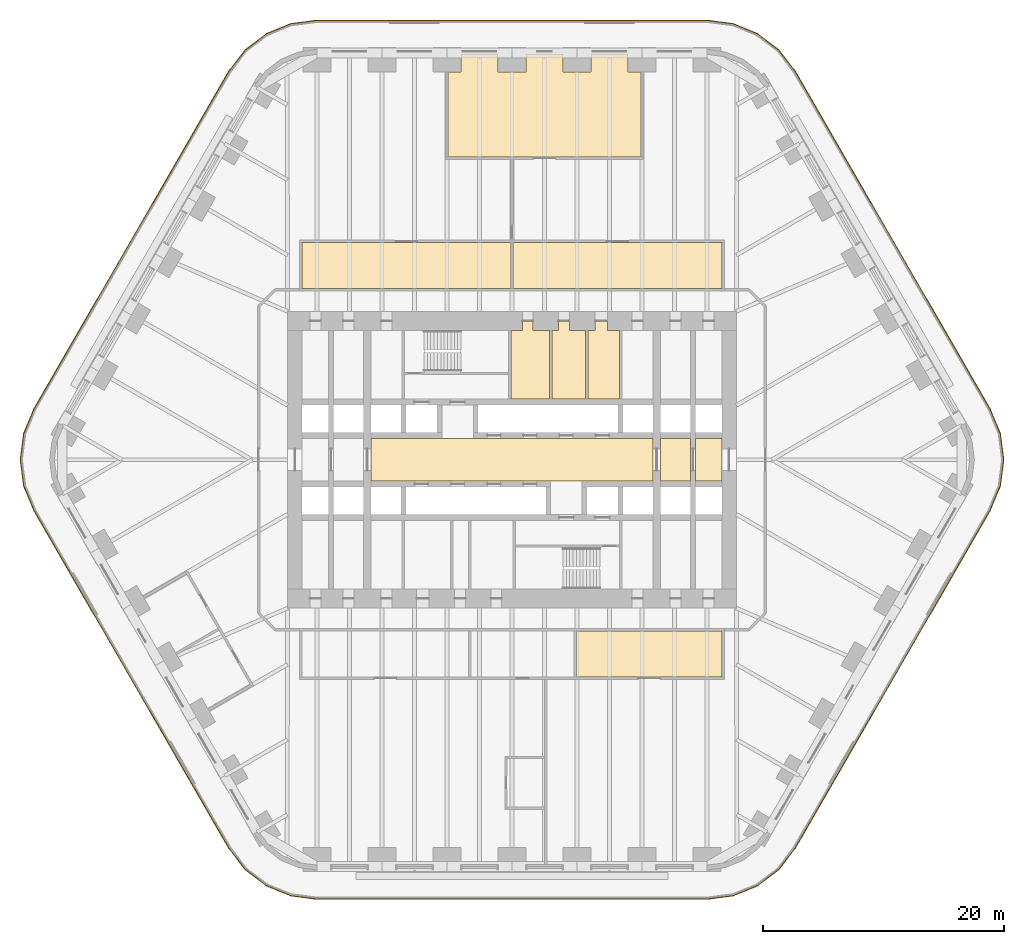
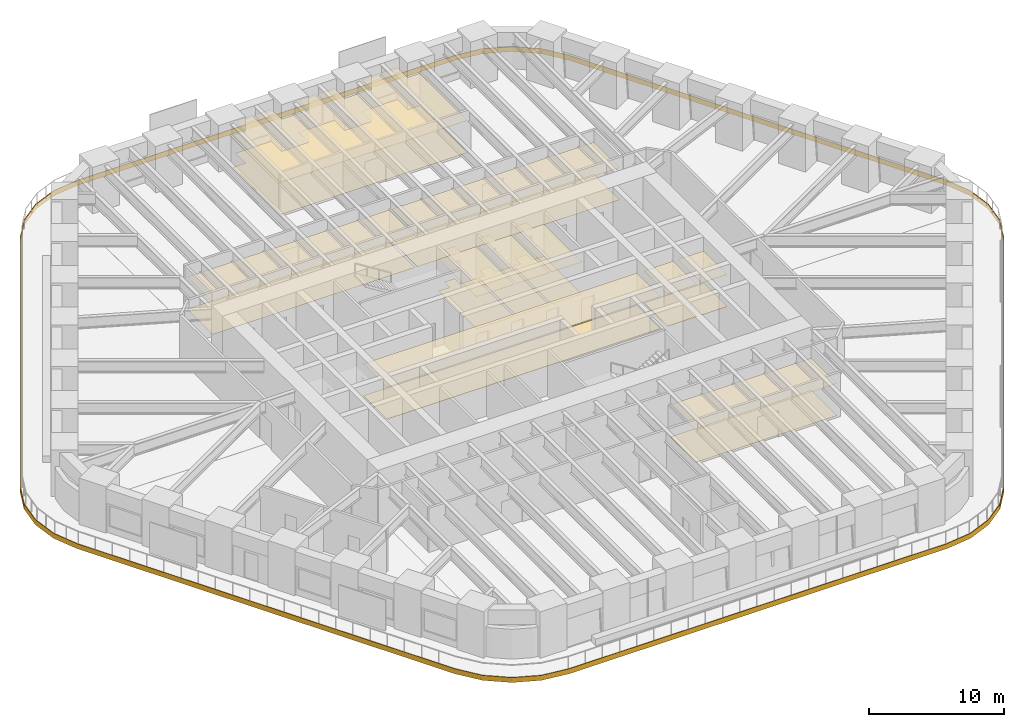
# One storey, part 22 of 23: 15 coverings.
"""IFC4 building model written with IfcOpenShell, lengths in metres."""

from ifc_helpers import new_model, si_unit, direction, frame, origin, place, context, subcontext, project, spatial, polyline, outline, extrude, material, layer, layer_set, type_object, element, save


model = new_model("IFC4")

# Units and contexts
model_context = context("Model", 3, precision=1e-05, world=origin(), true_north=direction((0.0, 1.0)))
body_context = subcontext(model_context, "Body", "Model", "MODEL_VIEW")
ifc_project = project(units=[si_unit("LENGTHUNIT", "METRE"), si_unit("AREAUNIT", "SQUARE_METRE"), si_unit("VOLUMEUNIT", "CUBIC_METRE"), si_unit("PLANEANGLEUNIT", "RADIAN"), si_unit("MASSUNIT", "GRAM", prefix="KILO")], contexts=[model_context])

# Site, building, storey
site_placement = place(None, origin())
site = spatial("IfcSite", under=ifc_project, at=site_placement, CompositionType="ELEMENT")
building_placement = place(site_placement, origin())
building = spatial("IfcBuilding", under=site, at=building_placement, Name="Tarfa Lantern Tower", CompositionType="ELEMENT")
storey_placement = place(building_placement, frame((0.0, 0.0, 27.699951171875)))
storey = spatial("IfcBuildingStorey", under=building, at=storey_placement, Name="L05", CompositionType="ELEMENT", Elevation=27.699951171875)

# Coverings
ifc_material_1 = material(Name="Mineral fibre acoustic tile on suspension grid", Category="finish")
ifc_layer_1 = layer(ifc_material_1, 0.02001953125)
ifc_layer_set_1 = layer_set([ifc_layer_1], Name="CL1 ACOUSTIC TILE CEILING 20")
covering_type_1 = type_object("IfcCoveringType", Name="CL1 ACOUSTIC TILE CEILING 20", PredefinedType="CEILING", material=ifc_layer_set_1)
covering_1_placement = place(storey_placement, frame((0.0, 0.0, 2.900146484375)))
element("IfcCovering", 1, at=covering_1_placement, inside=storey, type_object=covering_type_1, Name="Ceiling L05 CL1", PredefinedType="CEILING", context=body_context, shape_type="SweptSolid", body=[
    extrude(outline(polyline([(0.10009765625, 18.0), (17.39990234375, 18.0), (17.39990234375, 14.199951171875), (0.10009765625, 14.199951171875), (0.10009765625, 18.0)])), origin(), (0.0, 0.0, 1.0), 0.02001953125),
    extrude(outline(polyline([(5.35009765625, -14.199951171875), (17.39990234375, -14.199951171875), (17.39990234375, -18.0), (5.35009765625, -18.0), (5.35009765625, -14.199951171875)])), origin(), (0.0, 0.0, 1.0), 0.02001953125),
    extrude(outline(polyline([(10.67724609375, 25.10009765625), (-5.28857421875, 25.10009765625), (-5.28857421875, 32.14990234375), (-4.238525390625, 32.14990234375), (-4.238525390625, 33.64990234375), (-1.14990234375, 33.64990234375), (-1.14990234375, 32.14990234375), (1.14990234375, 32.14990234375), (1.14990234375, 33.64990234375), (4.238525390625, 33.64990234375), (4.238525390625, 32.14990234375), (6.53857421875, 32.14990234375), (6.53857421875, 33.64990234375), (9.627197265625, 33.64990234375), (9.627197265625, 32.14990234375), (10.67724609375, 32.14990234375), (10.67724609375, 25.10009765625)])), origin(), (0.0, 0.0, 1.0), 0.02001953125),
    extrude(outline(polyline([(-17.39990234375, 18.0), (-0.10009765625, 18.0), (-0.10009765625, 14.199951171875), (-17.39990234375, 14.199951171875), (-17.39990234375, 18.0)])), origin(), (0.0, 0.0, 1.0), 0.02001953125),
])
ifc_material_2 = material(Name="Moisture-resistant plasterboard", Category="finish")
ifc_layer_2 = layer(ifc_material_2, 0.014892578125)
ifc_layer_set_2 = layer_set([ifc_layer_2], Name="CL2 MOISTURE-RESISTANT PLASTERBOARD CEILING 15")
covering_type_2 = type_object("IfcCoveringType", Name="CL2 MOISTURE-RESISTANT PLASTERBOARD CEILING 15", PredefinedType="CEILING", material=ifc_layer_set_2)
covering_2_placement = place(storey_placement, frame((0.0, 0.0, 2.900146484375)))
element("IfcCovering", 2, at=covering_2_placement, inside=storey, type_object=covering_type_2, Name="Ceiling L05-09", PredefinedType="CEILING", context=body_context, shape_type="SweptSolid", body=[
    extrude(outline(polyline([(0.85009765625, 10.699951171875), (-0.10009765625, 10.699951171875), (-0.10009765625, 5.050048828125), (3.10009765625, 5.050048828125), (3.10009765625, 10.699951171875), (1.75, 10.699951171875), (1.75, 11.5), (0.85009765625, 11.5), (0.85009765625, 10.699951171875)])), origin(), (0.0, 0.0, 1.0), 0.014892578125),
])
covering_3_placement = place(storey_placement, frame((0.0, 0.0, 2.900146484375)))
element("IfcCovering", 3, at=covering_3_placement, inside=storey, type_object=covering_type_2, Name="Ceiling L05-10", PredefinedType="CEILING", context=body_context, shape_type="SweptSolid", body=[
    extrude(outline(polyline([(3.300048828125, 5.050048828125), (6.10009765625, 5.050048828125), (6.10009765625, 10.699951171875), (4.75, 10.699951171875), (4.75, 11.5), (3.85009765625, 11.5), (3.85009765625, 10.699951171875), (3.300048828125, 10.699951171875), (3.300048828125, 5.050048828125)])), origin(), (0.0, 0.0, 1.0), 0.014892578125),
])
covering_4_placement = place(storey_placement, frame((0.0, 0.0, 2.900146484375)))
element("IfcCovering", 4, at=covering_4_placement, inside=storey, type_object=covering_type_2, Name="Ceiling L05-11", PredefinedType="CEILING", context=body_context, shape_type="SweptSolid", body=[
    extrude(outline(polyline([(6.300048828125, 5.050048828125), (8.89990234375, 5.050048828125), (8.89990234375, 10.699951171875), (7.89990234375, 10.699951171875), (7.89990234375, 11.5), (6.89990234375, 11.5), (6.89990234375, 10.699951171875), (6.300048828125, 10.699951171875), (6.300048828125, 5.050048828125)])), origin(), (0.0, 0.0, 1.0), 0.014892578125),
])
ifc_material_3 = material(Name="Powder-coated aluminium panel", Category="aluminium")
ifc_layer_3 = layer(ifc_material_3, 0.030029296875)
ifc_layer_set_3 = layer_set([ifc_layer_3], Name="CL3 METAL PANEL CEILING 30")
covering_type_3 = type_object("IfcCoveringType", Name="CL3 METAL PANEL CEILING 30", PredefinedType="CEILING", material=ifc_layer_set_3)
covering_5_placement = place(storey_placement, frame((0.0, 0.0, 2.900146484375)))
element("IfcCovering", 5, at=covering_5_placement, inside=storey, type_object=covering_type_3, Name="Ceiling L05-03", PredefinedType="CEILING", context=body_context, shape_type="SweptSolid", body=[
    extrude(outline(polyline([(-11.699951171875, -1.75), (11.699951171875, -1.75), (11.699951171875, 1.75), (-11.699951171875, 1.75), (-11.699951171875, -1.75)])), origin(), (0.0, 0.0, 1.0), 0.02978515625),
])
covering_6_placement = place(storey_placement, frame((0.0, 0.0, 2.900146484375)))
element("IfcCovering", 6, at=covering_6_placement, inside=storey, type_object=covering_type_3, Name="Ceiling L05-04", PredefinedType="CEILING", context=body_context, shape_type="SweptSolid", body=[
    extrude(outline(polyline([(12.300048828125, -1.75), (14.800048828125, -1.75), (14.800048828125, 1.75), (12.300048828125, 1.75), (12.300048828125, -1.75)])), origin(), (0.0, 0.0, 1.0), 0.02978515625),
])
covering_7_placement = place(storey_placement, frame((0.0, 0.0, 2.900146484375)))
element("IfcCovering", 7, at=covering_7_placement, inside=storey, type_object=covering_type_3, Name="Ceiling L05-05", PredefinedType="CEILING", context=body_context, shape_type="SweptSolid", body=[
    extrude(outline(polyline([(15.199951171875, -1.75), (17.39990234375, -1.75), (17.39990234375, 1.75), (15.199951171875, 1.75), (15.199951171875, -1.75)])), origin(), (0.0, 0.0, 1.0), 0.02978515625),
])
ifc_material_4 = material(Name="Nylon carpet tile", Category="finish")
ifc_layer_4 = layer(ifc_material_4, 0.010009765625)
ifc_layer_set_4 = layer_set([ifc_layer_4], Name="FL1 CARPET TILE 10")
covering_type_4 = type_object("IfcCoveringType", Name="FL1 CARPET TILE 10", PredefinedType="FLOORING", material=ifc_layer_set_4)
covering_8_placement = place(storey_placement, origin())
element("IfcCovering", 8, at=covering_8_placement, inside=storey, type_object=covering_type_4, Name="Floor finish L05 FL1", PredefinedType="FLOORING", context=body_context, shape_type="SweptSolid", body=[
    extrude(outline(polyline([(0.10009765625, 18.0), (17.39990234375, 18.0), (17.39990234375, 14.199951171875), (0.10009765625, 14.199951171875), (0.10009765625, 18.0)])), origin(), (0.0, 0.0, 1.0), 0.010009765625),
    extrude(outline(polyline([(5.35009765625, -14.199951171875), (17.39990234375, -14.199951171875), (17.39990234375, -18.0), (5.35009765625, -18.0), (5.35009765625, -14.199951171875)])), origin(), (0.0, 0.0, 1.0), 0.010009765625),
    extrude(outline(polyline([(10.67724609375, 25.10009765625), (-5.28857421875, 25.10009765625), (-5.28857421875, 32.14990234375), (-4.238525390625, 32.14990234375), (-4.238525390625, 33.64990234375), (-1.14990234375, 33.64990234375), (-1.14990234375, 32.14990234375), (1.14990234375, 32.14990234375), (1.14990234375, 33.64990234375), (4.238525390625, 33.64990234375), (4.238525390625, 32.14990234375), (6.53857421875, 32.14990234375), (6.53857421875, 33.64990234375), (9.627197265625, 33.64990234375), (9.627197265625, 32.14990234375), (10.67724609375, 32.14990234375), (10.67724609375, 25.10009765625)])), origin(), (0.0, 0.0, 1.0), 0.010009765625),
    extrude(outline(polyline([(-17.39990234375, 18.0), (-0.10009765625, 18.0), (-0.10009765625, 14.199951171875), (-17.39990234375, 14.199951171875), (-17.39990234375, 18.0)])), origin(), (0.0, 0.0, 1.0), 0.010009765625),
])
ifc_material_5 = material(Name="Honed limestone flooring", Category="masonry")
ifc_layer_5 = layer(ifc_material_5, 0.030029296875)
ifc_layer_set_5 = layer_set([ifc_layer_5], Name="FL2 STONE FLOORING 30")
covering_type_5 = type_object("IfcCoveringType", Name="FL2 STONE FLOORING 30", PredefinedType="FLOORING", material=ifc_layer_set_5)
covering_9_placement = place(storey_placement, origin())
element("IfcCovering", 9, at=covering_9_placement, inside=storey, type_object=covering_type_5, Name="Floor finish L05-03", PredefinedType="FLOORING", context=body_context, shape_type="SweptSolid", body=[
    extrude(outline(polyline([(-11.699951171875, -1.75), (11.699951171875, -1.75), (11.699951171875, 1.75), (-11.699951171875, 1.75), (-11.699951171875, -1.75)])), origin(), (0.0, 0.0, 1.0), 0.030029296875),
])
covering_10_placement = place(storey_placement, origin())
element("IfcCovering", 10, at=covering_10_placement, inside=storey, type_object=covering_type_5, Name="Floor finish L05-04", PredefinedType="FLOORING", context=body_context, shape_type="SweptSolid", body=[
    extrude(outline(polyline([(12.300048828125, -1.75), (14.800048828125, -1.75), (14.800048828125, 1.75), (12.300048828125, 1.75), (12.300048828125, -1.75)])), origin(), (0.0, 0.0, 1.0), 0.030029296875),
])
covering_11_placement = place(storey_placement, origin())
element("IfcCovering", 11, at=covering_11_placement, inside=storey, type_object=covering_type_5, Name="Floor finish L05-05", PredefinedType="FLOORING", context=body_context, shape_type="SweptSolid", body=[
    extrude(outline(polyline([(15.199951171875, -1.75), (17.39990234375, -1.75), (17.39990234375, 1.75), (15.199951171875, 1.75), (15.199951171875, -1.75)])), origin(), (0.0, 0.0, 1.0), 0.030029296875),
])
ifc_material_6 = material(Name="Porcelain floor tile", Category="finish")
ifc_layer_6 = layer(ifc_material_6, 0.011962890625)
ifc_layer_set_6 = layer_set([ifc_layer_6], Name="FL3 CERAMIC TILE 12")
covering_type_6 = type_object("IfcCoveringType", Name="FL3 CERAMIC TILE 12", PredefinedType="FLOORING", material=ifc_layer_set_6)
covering_12_placement = place(storey_placement, origin())
element("IfcCovering", 12, at=covering_12_placement, inside=storey, type_object=covering_type_6, Name="Floor finish L05-09", PredefinedType="FLOORING", context=body_context, shape_type="SweptSolid", body=[
    extrude(outline(polyline([(0.85009765625, 10.699951171875), (-0.10009765625, 10.699951171875), (-0.10009765625, 5.050048828125), (3.10009765625, 5.050048828125), (3.10009765625, 10.699951171875), (1.75, 10.699951171875), (1.75, 11.5), (0.85009765625, 11.5), (0.85009765625, 10.699951171875)])), origin(), (0.0, 0.0, 1.0), 0.011962890625),
])
covering_13_placement = place(storey_placement, origin())
element("IfcCovering", 13, at=covering_13_placement, inside=storey, type_object=covering_type_6, Name="Floor finish L05-10", PredefinedType="FLOORING", context=body_context, shape_type="SweptSolid", body=[
    extrude(outline(polyline([(3.300048828125, 5.050048828125), (6.10009765625, 5.050048828125), (6.10009765625, 10.699951171875), (4.75, 10.699951171875), (4.75, 11.5), (3.85009765625, 11.5), (3.85009765625, 10.699951171875), (3.300048828125, 10.699951171875), (3.300048828125, 5.050048828125)])), origin(), (0.0, 0.0, 1.0), 0.011962890625),
])
covering_14_placement = place(storey_placement, origin())
element("IfcCovering", 14, at=covering_14_placement, inside=storey, type_object=covering_type_6, Name="Floor finish L05-11", PredefinedType="FLOORING", context=body_context, shape_type="SweptSolid", body=[
    extrude(outline(polyline([(6.300048828125, 5.050048828125), (8.89990234375, 5.050048828125), (8.89990234375, 10.699951171875), (7.89990234375, 10.699951171875), (7.89990234375, 11.5), (6.89990234375, 11.5), (6.89990234375, 10.699951171875), (6.300048828125, 10.699951171875), (6.300048828125, 5.050048828125)])), origin(), (0.0, 0.0, 1.0), 0.011962890625),
])
ifc_material_7 = material(Name="Limestone cladding on brackets", Category="masonry")
ifc_layer_7 = layer(ifc_material_7, 0.050048828125)
ifc_layer_set_7 = layer_set([ifc_layer_7], Name="SB1 STONE BAND CLADDING 50")
covering_type_7 = type_object("IfcCoveringType", Name="SB1 STONE BAND CLADDING 50", PredefinedType="CLADDING", material=ifc_layer_set_7)
covering_15_placement = place(storey_placement, frame((0.0, 0.0, -0.39990234375)))
element("IfcCovering", 15, at=covering_15_placement, inside=storey, type_object=covering_type_7, Name="Stone band", PredefinedType="CLADDING", context=body_context, shape_type="SweptSolid", body=[
    extrude(outline(polyline([(39.6494140625, 4.22509765625), (23.483642578125, 32.22509765625), (22.140869140625, 33.97509765625), (20.390869140625, 35.31787109375), (18.352783203125, 36.162109375), (16.165771484375, 36.449951171875), (-16.165771484375, 36.449951171875), (-18.352783203125, 36.162109375), (-20.390869140625, 35.31787109375), (-22.140869140625, 33.97509765625), (-23.483642578125, 32.22509765625), (-39.6494140625, 4.22509765625), (-40.49365234375, 2.18701171875), (-40.781494140625, 0.0), (-40.49365234375, -2.18701171875), (-39.6494140625, -4.22509765625), (-23.483642578125, -32.22509765625), (-22.140869140625, -33.97509765625), (-20.390869140625, -35.31787109375), (-18.352783203125, -36.162109375), (-16.165771484375, -36.449951171875), (16.165771484375, -36.449951171875), (18.352783203125, -36.162109375), (20.390869140625, -35.31787109375), (22.140869140625, -33.97509765625), (23.483642578125, -32.22509765625), (39.6494140625, -4.22509765625), (40.49365234375, -2.18701171875), (40.781494140625, 0.0), (40.49365234375, 2.18701171875), (39.6494140625, 4.22509765625)]), holes=[polyline([(39.606201171875, 4.199951171875), (23.4404296875, 32.199951171875), (22.10546875, 33.939697265625), (20.36572265625, 35.274658203125), (18.33984375, 36.11376953125), (16.165771484375, 36.39990234375), (-16.165771484375, 36.39990234375), (-18.33984375, 36.11376953125), (-20.36572265625, 35.274658203125), (-22.10546875, 33.939697265625), (-23.4404296875, 32.199951171875), (-39.606201171875, 4.199951171875), (-40.4453125, 2.174072265625), (-40.731689453125, 0.0), (-40.4453125, -2.174072265625), (-39.606201171875, -4.199951171875), (-23.4404296875, -32.199951171875), (-22.10546875, -33.939697265625), (-20.36572265625, -35.274658203125), (-18.33984375, -36.11376953125), (-16.165771484375, -36.39990234375), (16.165771484375, -36.39990234375), (18.33984375, -36.11376953125), (20.36572265625, -35.274658203125), (22.10546875, -33.939697265625), (23.4404296875, -32.199951171875), (39.606201171875, -4.199951171875), (40.4453125, -2.174072265625), (40.731689453125, 0.0), (40.4453125, 2.174072265625), (39.606201171875, 4.199951171875)])]), origin(), (0.0, 0.0, 1.0), 0.449951171875),
])

save(model, "model.ifc")
